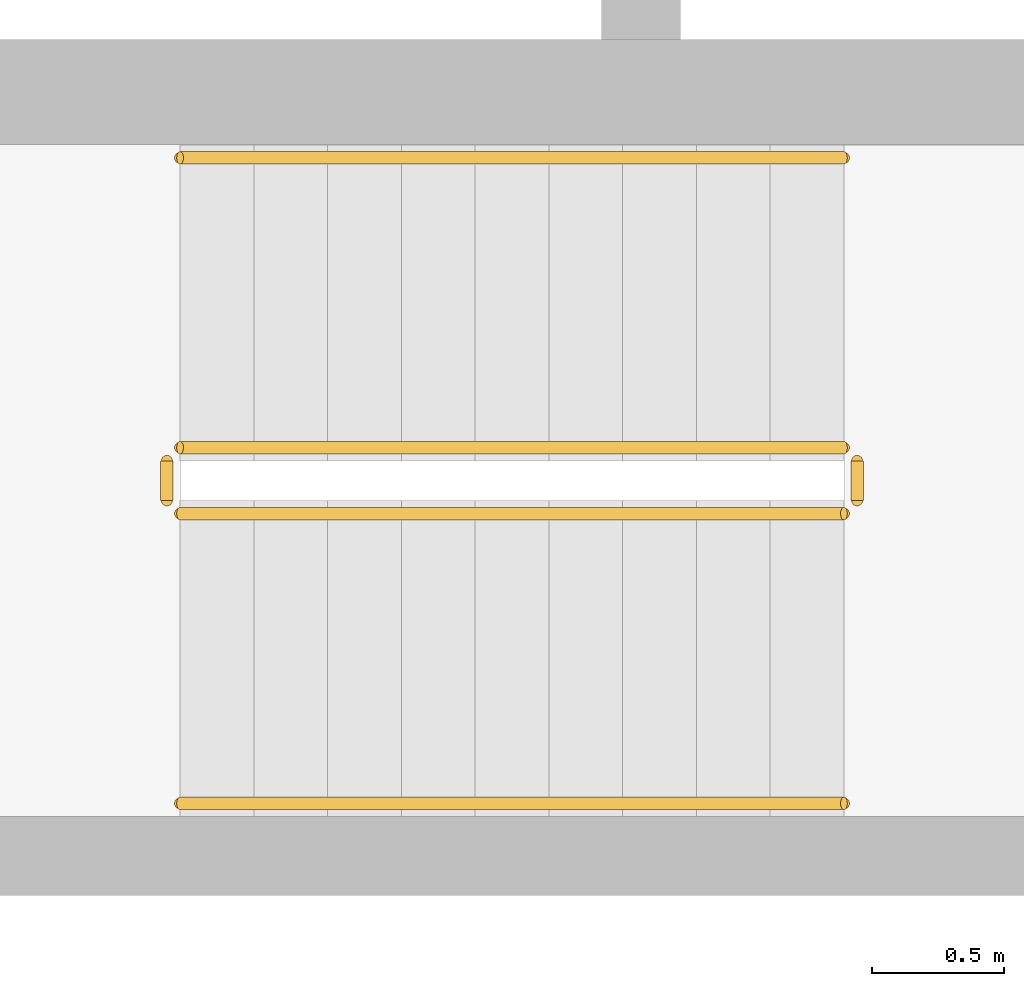
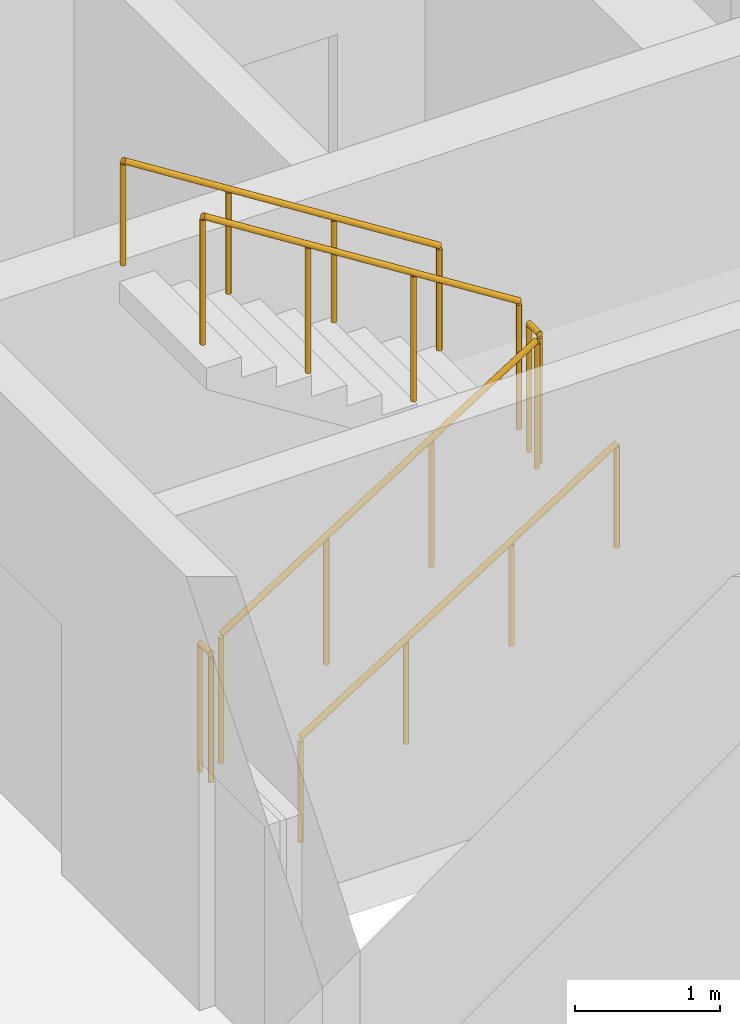
# One storey, part 13 of 15: 6 railings.
"""IFC4 building model written with IfcOpenShell, lengths in metres."""

import ifcopenshell
import ifcopenshell.guid

model = None  # the IFC model being written
_history = None  # IfcOwnerHistory: only IFC2X3 demands one
_inside = {}  # id of a spatial element -> (the spatial element, [elements in it])
_under = {}  # id of a project, library or spatial element -> (it, [spatial elements below it])
_declared = {}  # id of a project -> (the project, [libraries it declares])
_typed = {}  # id of a type object -> (the type object, [elements of that type])
_made_of = {}  # id of a material, layer set ... -> (it, [elements and type objects made of it])


def new_model(schema):
    """Start an empty IFC model of exactly this schema.

    Asked for "IFC4X3", IfcOpenShell would pick the latest addendum, in which some entities
    have other attributes; the version numbers below select the first issue.
    IFC2X3 requires an IfcOwnerHistory on every rooted entity: one is made here for all.
    """
    global model, _history
    if schema == "IFC4X3":
        model = ifcopenshell.file(schema_version=(4, 3, 0, 0))
    else:
        model = ifcopenshell.file(schema=schema)
    _inside.clear()
    _under.clear()
    _declared.clear()
    _typed.clear()
    _made_of.clear()
    _history = None
    if model.schema == "IFC2X3":
        org = make("IfcOrganization", Name="unknown")
        user = make(
            "IfcPersonAndOrganization",
            ThePerson=make("IfcPerson", FamilyName="unknown"),
            TheOrganization=org,
        )
        app = make(
            "IfcApplication",
            ApplicationDeveloper=org,
            Version="unknown",
            ApplicationFullName="unknown",
            ApplicationIdentifier="unknown",
        )
        _history = make(
            "IfcOwnerHistory",
            OwningUser=user,
            OwningApplication=app,
            ChangeAction="ADDED",
            CreationDate=0,
        )
    return model


def make(cls, **values):
    """One entity of the class cls with the attributes given. An attribute that is None is left unset."""
    return model.create_entity(
        cls, **{name: value for name, value in values.items() if value is not None}
    )


def rooted(cls, **values):
    """An entity with a GlobalId (a new one), such as an element, a storey or a relation."""
    return make(cls, GlobalId=ifcopenshell.guid.new(), OwnerHistory=_history, **values)


def si_unit(unit_type, name, prefix=None):
    """IfcSIUnit, for example si_unit("LENGTHUNIT", "METRE", prefix="MILLI")."""
    return make("IfcSIUnit", UnitType=unit_type, Prefix=prefix, Name=name)


def assignment(units):
    """IfcUnitAssignment: the units of a project."""
    return None if units is None else make("IfcUnitAssignment", Units=units)


def point(xyz):
    """IfcCartesianPoint."""
    return None if xyz is None else make("IfcCartesianPoint", Coordinates=xyz)


def direction(xyz):
    """IfcDirection."""
    return None if xyz is None else make("IfcDirection", DirectionRatios=xyz)


def frame(location, z_axis=None, x_axis=None):
    """IfcAxis2Placement3D, a coordinate frame: its origin and axes. An axis left out is left unset."""
    return make(
        "IfcAxis2Placement3D",
        Location=point(location),
        Axis=direction(z_axis),
        RefDirection=direction(x_axis),
    )


def frame_2d(location, x_axis=None):
    """IfcAxis2Placement2D, a coordinate frame in the plane: its origin and x axis."""
    return make(
        "IfcAxis2Placement2D", Location=point(location), RefDirection=direction(x_axis)
    )


def origin():
    """The frame at (0, 0, 0) with its axes left unset."""
    return frame((0.0, 0.0, 0.0))


def origin_2d():
    """The frame at (0, 0) in the plane with its x axis left unset."""
    return frame_2d((0.0, 0.0))


def place(relative_to, where):
    """IfcLocalPlacement: puts the frame where relative to a parent placement (None: the world)."""
    return make(
        "IfcLocalPlacement", PlacementRelTo=relative_to, RelativePlacement=where
    )


def context(
    kind, dimensions, precision=None, world=None, true_north=None, identifier=None
):
    """IfcGeometricRepresentationContext, for example the 3D "Model" context."""
    return make(
        "IfcGeometricRepresentationContext",
        ContextIdentifier=identifier,
        ContextType=kind,
        CoordinateSpaceDimension=dimensions,
        Precision=precision,
        WorldCoordinateSystem=world,
        TrueNorth=true_north,
    )


def subcontext(parent, identifier, kind, view, scale=None):
    """IfcGeometricRepresentationSubContext, for example "Body" below "Model"."""
    return make(
        "IfcGeometricRepresentationSubContext",
        ContextIdentifier=identifier,
        ContextType=kind,
        ParentContext=parent,
        TargetScale=scale,
        TargetView=view,
    )


def project(units=None, contexts=None):
    """IfcProject with its units and contexts."""
    return rooted(
        "IfcProject",
        Name="project",
        RepresentationContexts=contexts,
        UnitsInContext=assignment(units),
    )


def spatial(cls, under=None, at=None, **own):
    """A site, building, storey or space (cls), placed at a placement, below another one or the project."""
    s = rooted(cls, ObjectPlacement=at, **own)
    if under is not None:
        _under.setdefault(under.id(), (under, []))[1].append(s)
    return s


def profile(cls, at=None, kind="AREA", **sizes):
    """A parametric profile (cls). Its sizes go by their IFC names, for example OverallWidth=200.0."""
    return make(cls, ProfileType=kind, Position=at, **sizes)


def circle(**sizes):
    """IfcCircleProfileDef."""
    return profile("IfcCircleProfileDef", **sizes)


def extrude(swept, where, along, depth):
    """IfcExtrudedAreaSolid: the profile swept, set in the frame where, extruded along a direction by depth."""
    return make(
        "IfcExtrudedAreaSolid",
        SweptArea=swept,
        Position=where,
        ExtrudedDirection=direction(along),
        Depth=depth,
    )


def shape(context_of_items, identifier, shape_type, items):
    """IfcShapeRepresentation: the items that make up one representation, for example the "Body"."""
    return make(
        "IfcShapeRepresentation",
        ContextOfItems=context_of_items,
        RepresentationIdentifier=identifier,
        RepresentationType=shape_type,
        Items=items,
    )


def material(Name=None, Category=None):
    """IfcMaterial."""
    return make("IfcMaterial", Name=Name, Category=Category)


def made_of(thing, what):
    """Note that an element or type object is made of a material, layer set ...; save() writes the relation."""
    if what is not None:
        _made_of.setdefault(what.id(), (what, []))[1].append(thing)
    return thing


def type_object(cls, material=None, **own):
    """A type object (cls), such as IfcWallType, which elements share."""
    return made_of(rooted(cls, **own), material)


def element(
    cls,
    number,
    at=None,
    inside=None,
    cuts=None,
    type_object=None,
    material=None,
    context=None,
    identifier="Body",
    shape_type=None,
    held_by="IfcProductDefinitionShape",
    body=None,
    shapes=None,
    **own,
):
    """One element of the class cls, such as IfcWall. Its Tag is "e" and its number.

    at: its placement. inside: the storey or other place that contains it. cuts: it is an
    opening in that element (IfcRelVoidsElement). A single representation is given by context,
    identifier, shape_type and body (its items); several are given by shapes. held_by: the class
    of the entity that holds the representations. save() writes the other relations.
    """
    e = rooted(cls, Tag="e%d" % number, ObjectPlacement=at, **own)
    if body is not None:
        shapes = [shape(context, identifier, shape_type, body)]
    if shapes is not None:
        e.Representation = make(held_by, Representations=shapes)
    if inside is not None:
        _inside.setdefault(inside.id(), (inside, []))[1].append(e)
    if cuts is not None:
        rooted(
            "IfcRelVoidsElement", RelatingBuildingElement=cuts, RelatedOpeningElement=e
        )
    if type_object is not None:
        _typed.setdefault(type_object.id(), (type_object, []))[1].append(e)
    return made_of(e, material)


def aggregate(whole, parts):
    """IfcRelAggregates: a whole, such as a stair, and the parts it consists of."""
    return rooted("IfcRelAggregates", RelatingObject=whole, RelatedObjects=parts)


def save(model, path):
    """Write the relations noted so far, then the file.

    IfcRelAggregates (storeys below a building ...), IfcRelContainedInSpatialStructure (elements
    in a storey), IfcRelDefinesByType, IfcRelAssociatesMaterial and IfcRelDeclares: one each for
    every whole, place, type object, material and project.
    """
    for whole, parts in _under.values():
        aggregate(whole, parts)
    for where, things in _inside.values():
        rooted(
            "IfcRelContainedInSpatialStructure",
            RelatedElements=things,
            RelatingStructure=where,
        )
    for kind, things in _typed.values():
        rooted("IfcRelDefinesByType", RelatedObjects=things, RelatingType=kind)
    for what, things in _made_of.values():
        rooted("IfcRelAssociatesMaterial", RelatedObjects=things, RelatingMaterial=what)
    for by, libraries in _declared.values():
        rooted("IfcRelDeclares", RelatingContext=by, RelatedDefinitions=libraries)
    model.write(path)


model = new_model("IFC4")

# Units and contexts
model_context = context("Model", 3, precision=1e-05, world=origin(), true_north=direction((0.0, 1.0)))
body_context = subcontext(model_context, "Body", "Model", "MODEL_VIEW")
ifc_project = project(units=[si_unit("LENGTHUNIT", "METRE"), si_unit("AREAUNIT", "SQUARE_METRE"), si_unit("VOLUMEUNIT", "CUBIC_METRE"), si_unit("PLANEANGLEUNIT", "RADIAN"), si_unit("MASSUNIT", "GRAM", prefix="KILO")], contexts=[model_context])

# Site, building, storey
site_placement = place(None, origin())
site = spatial("IfcSite", under=ifc_project, at=site_placement, CompositionType="ELEMENT")
building_placement = place(site_placement, origin())
building = spatial("IfcBuilding", under=site, at=building_placement, Name="Ostrand Prow Hotel Tower", CompositionType="ELEMENT")
storey_placement = place(building_placement, frame((0.0, 0.0, 242.10009765625)))
storey = spatial("IfcBuildingStorey", under=building, at=storey_placement, Name="L61", CompositionType="ELEMENT", Elevation=242.10009765625)

# Railings
ifc_material_1 = material(Name="Painted steel", Category="steel")
railing_type_1 = type_object("IfcRailingType", Name="Stair guard 1100", PredefinedType="GUARDRAIL", material=ifc_material_1)
railing_1_placement = place(storey_placement, frame((57.199951171875, -11.75, 0.177490234375)))
element("IfcRailing", 1, at=railing_1_placement, inside=storey, type_object=railing_type_1, Name="L61 ST2C stair guard 1", PredefinedType="GUARDRAIL", context=body_context, shape_type="SweptSolid", body=[
    extrude(circle(Radius=0.02392578125, at=origin_2d()), frame((0.0, 0.0, 1.076171875), z_axis=(0.84460694969, 0.0, 0.535386869969), x_axis=(0.0, 1.0, 0.0)), (0.0, 0.0, 1.0), 2.983642578125),
    extrude(circle(Radius=0.02099609375, at=origin_2d()), origin(), (0.0, 0.0, 1.0), 1.052001953125),
    extrude(circle(Radius=0.02099609375, at=origin_2d()), frame((0.840087890625, 0.0, 0.532470703125)), (0.0, 0.0, 1.0), 1.052001953125),
    extrude(circle(Radius=0.02099609375, at=origin_2d()), frame((1.679931640625, 0.0, 1.06494140625)), (0.0, 0.0, 1.0), 1.052001953125),
    extrude(circle(Radius=0.02099609375, at=origin_2d()), frame((2.52001953125, 0.0, 1.597412109375)), (0.0, 0.0, 1.0), 1.052001953125),
])
railing_2_placement = place(storey_placement, frame((59.77001953125, -11.699951171875, 1.77490234375)))
element("IfcRailing", 2, at=railing_2_placement, inside=storey, type_object=railing_type_1, Name="L61 ST2C stair guard 2", PredefinedType="GUARDRAIL", context=body_context, shape_type="SweptSolid", body=[
    extrude(circle(Radius=0.02392578125, at=origin_2d()), frame((0.0, 0.0, 1.076171875), z_axis=(0.0, 1.0, 0.0), x_axis=(-1.0, 0.0, 0.0)), (0.0, 0.0, 1.0), 0.14990234375),
    extrude(circle(Radius=0.02099609375, at=origin_2d()), origin(), (0.0, 0.0, 1.0), 1.052001953125),
    extrude(circle(Radius=0.02099609375, at=origin_2d()), frame((0.0, 0.14990234375, 0.0)), (0.0, 0.0, 1.0), 1.052001953125),
])
railing_3_placement = place(storey_placement, frame((59.719970703125, -11.5, 1.952392578125)))
element("IfcRailing", 3, at=railing_3_placement, inside=storey, type_object=railing_type_1, Name="L61 ST2C stair guard 3", PredefinedType="GUARDRAIL", context=body_context, shape_type="SweptSolid", body=[
    extrude(circle(Radius=0.02392578125, at=origin_2d()), frame((0.0, 0.0, 1.076171875), z_axis=(-0.84460694969, 0.0, 0.535386869969), x_axis=(0.0, -1.0, 0.0)), (0.0, 0.0, 1.0), 2.983642578125),
    extrude(circle(Radius=0.02099609375, at=origin_2d()), origin(), (0.0, 0.0, 1.0), 1.052001953125),
    extrude(circle(Radius=0.02099609375, at=origin_2d()), frame((-0.840087890625, 0.0, 0.532470703125)), (0.0, 0.0, 1.0), 1.052001953125),
    extrude(circle(Radius=0.02099609375, at=origin_2d()), frame((-1.679931640625, 0.0, 1.06494140625)), (0.0, 0.0, 1.0), 1.052001953125),
    extrude(circle(Radius=0.02099609375, at=origin_2d()), frame((-2.52001953125, 0.0, 1.597412109375)), (0.0, 0.0, 1.0), 1.052001953125),
])
railing_4_placement = place(storey_placement, frame((57.14990234375, -11.699951171875, 0.0)))
element("IfcRailing", 4, at=railing_4_placement, inside=storey, type_object=railing_type_1, Name="L61 ST2C stair guard 4", PredefinedType="GUARDRAIL", context=body_context, shape_type="SweptSolid", body=[
    extrude(circle(Radius=0.02392578125, at=origin_2d()), frame((0.0, 0.0, 1.076171875), z_axis=(0.0, 1.0, 0.0), x_axis=(-1.0, 0.0, 0.0)), (0.0, 0.0, 1.0), 0.14990234375),
    extrude(circle(Radius=0.02099609375, at=origin_2d()), origin(), (0.0, 0.0, 1.0), 1.052001953125),
    extrude(circle(Radius=0.02099609375, at=origin_2d()), frame((0.0, 0.14990234375, 0.0)), (0.0, 0.0, 1.0), 1.052001953125),
])
ifc_material_2 = material(Name="Stainless steel", Category="steel")
railing_type_2 = type_object("IfcRailingType", Name="Stair handrail 900", PredefinedType="HANDRAIL", material=ifc_material_2)
railing_5_placement = place(storey_placement, frame((57.199951171875, -12.85009765625, 0.177490234375)))
element("IfcRailing", 5, at=railing_5_placement, inside=storey, type_object=railing_type_2, Name="L61 ST2C stair handrail 1", PredefinedType="HANDRAIL", context=body_context, shape_type="SweptSolid", body=[
    extrude(circle(Radius=0.02392578125, at=origin_2d()), frame((0.0, 0.0, 0.8759765625), z_axis=(0.84460694969, 0.0, 0.535386869969), x_axis=(0.0, 1.0, 0.0)), (0.0, 0.0, 1.0), 2.983642578125),
    extrude(circle(Radius=0.02099609375, at=origin_2d()), origin(), (0.0, 0.0, 1.0), 0.851806640625),
    extrude(circle(Radius=0.02099609375, at=origin_2d()), frame((0.840087890625, 0.0, 0.532470703125)), (0.0, 0.0, 1.0), 0.851806640625),
    extrude(circle(Radius=0.02099609375, at=origin_2d()), frame((1.679931640625, 0.0, 1.06494140625)), (0.0, 0.0, 1.0), 0.851806640625),
    extrude(circle(Radius=0.02099609375, at=origin_2d()), frame((2.52001953125, 0.0, 1.597412109375)), (0.0, 0.0, 1.0), 0.851806640625),
])
railing_6_placement = place(storey_placement, frame((59.719970703125, -10.39990234375, 1.952392578125)))
element("IfcRailing", 6, at=railing_6_placement, inside=storey, type_object=railing_type_2, Name="L61 ST2C stair handrail 2", PredefinedType="HANDRAIL", context=body_context, shape_type="SweptSolid", body=[
    extrude(circle(Radius=0.02392578125, at=origin_2d()), frame((0.0, 0.0, 0.8759765625), z_axis=(-0.84460694969, 0.0, 0.535386869969), x_axis=(0.0, -1.0, 0.0)), (0.0, 0.0, 1.0), 2.983642578125),
    extrude(circle(Radius=0.02099609375, at=origin_2d()), origin(), (0.0, 0.0, 1.0), 0.851806640625),
    extrude(circle(Radius=0.02099609375, at=origin_2d()), frame((-0.840087890625, 0.0, 0.532470703125)), (0.0, 0.0, 1.0), 0.851806640625),
    extrude(circle(Radius=0.02099609375, at=origin_2d()), frame((-1.679931640625, 0.0, 1.06494140625)), (0.0, 0.0, 1.0), 0.851806640625),
    extrude(circle(Radius=0.02099609375, at=origin_2d()), frame((-2.52001953125, 0.0, 1.597412109375)), (0.0, 0.0, 1.0), 0.851806640625),
])

save(model, "model.ifc")
